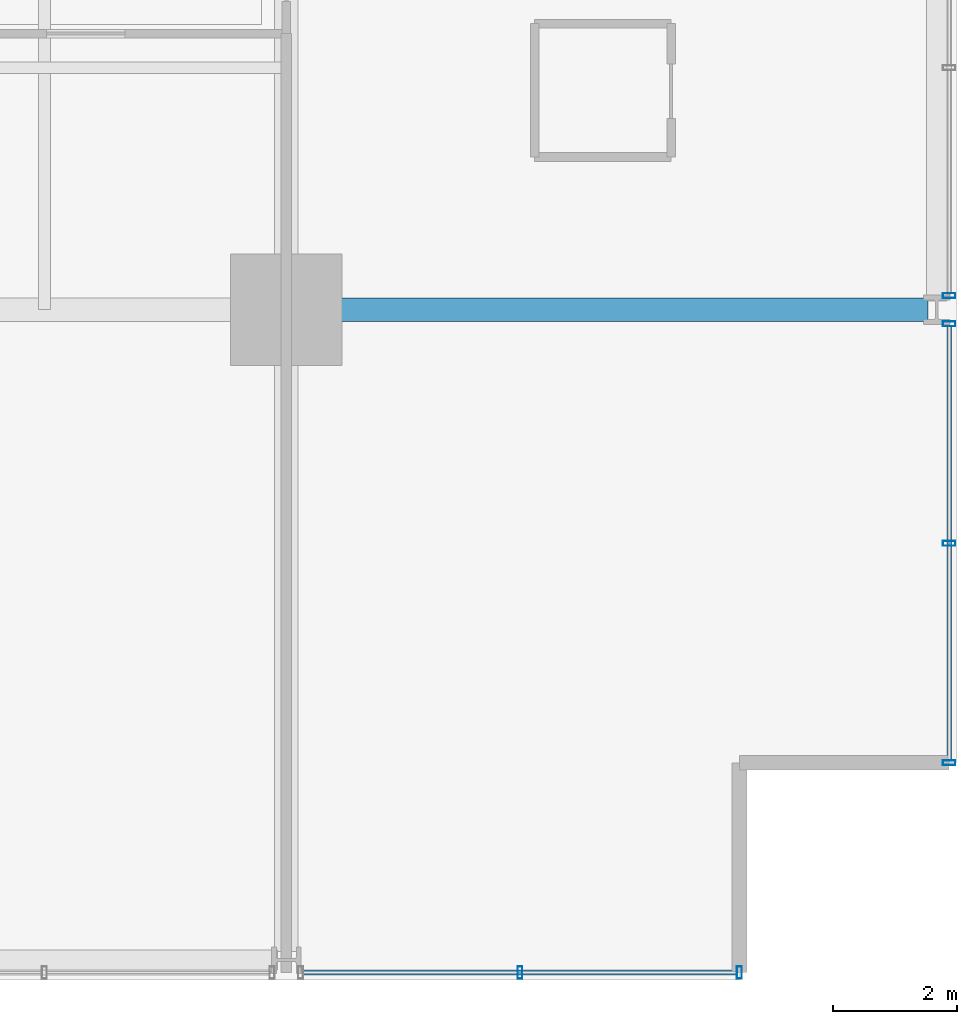
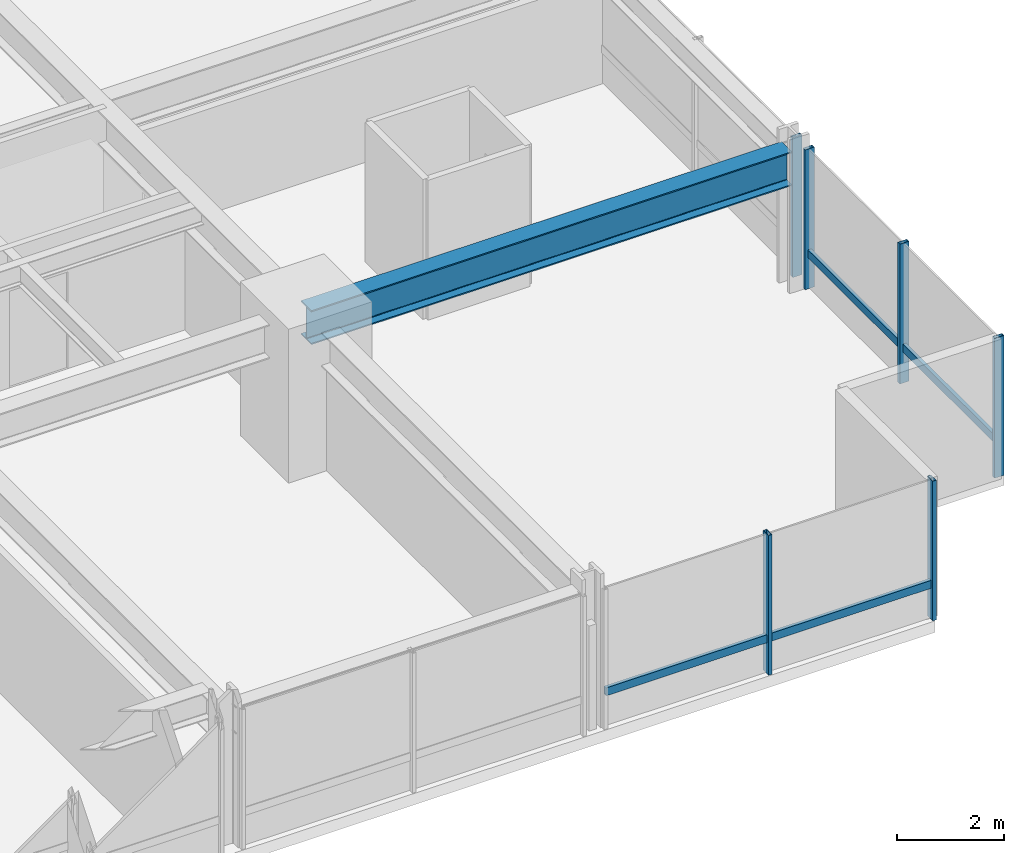
# One storey, part 13 of 37: 8 members, 1 beam, 3 elements without a shape of their own.
"""IFC4 building model written with IfcOpenShell, lengths in metres."""

from ifc_helpers import new_model, si_unit, direction, frame, origin, origin_2d, place, context, subcontext, project, spatial, hollow_rectangle, i_section, extrude, material, layer, layer_set, material_profile, profile_set, type_object, element, aggregate, save


model = new_model("IFC4")

# Units and contexts
model_context = context("Model", 3, precision=1e-05, world=origin(), true_north=direction((0.0, 1.0)))
body_context = subcontext(model_context, "Body", "Model", "MODEL_VIEW")
ifc_project = project(units=[si_unit("LENGTHUNIT", "METRE"), si_unit("AREAUNIT", "SQUARE_METRE"), si_unit("VOLUMEUNIT", "CUBIC_METRE"), si_unit("PLANEANGLEUNIT", "RADIAN"), si_unit("MASSUNIT", "GRAM", prefix="KILO")], contexts=[model_context])

# Site, building, storey
site_placement = place(None, origin())
site = spatial("IfcSite", under=ifc_project, at=site_placement, CompositionType="ELEMENT")
building_placement = place(site_placement, origin())
building = spatial("IfcBuilding", under=site, at=building_placement, Name="Drelvath Grand Hotel", CompositionType="ELEMENT")
storey_placement = place(building_placement, frame((0.0, 0.0, 78.699951171875)))
storey = spatial("IfcBuildingStorey", under=building, at=storey_placement, Name="L19", CompositionType="ELEMENT", Elevation=78.699951171875)

# Curtain wall, member
ifc_material_1 = material(Name="Warm Bronze Anodised Aluminium Frame", Category="aluminium")
ifc_layer = layer(ifc_material_1, 0.199951171875)
ifc_layer_set = layer_set([ifc_layer], Name="Warm Bronze Anodised Aluminium Frame")
curtain_wall_type = type_object("IfcCurtainWallType", Name="Stick Curtain Wall CW-02 Warm Bronze Low-Rise", PredefinedType="NOTDEFINED", material=ifc_layer_set)
curtain_wall_1_placement = place(storey_placement, origin())
curtain_wall_1 = element("IfcCurtainWall", 1, at=curtain_wall_1_placement, inside=storey, type_object=curtain_wall_type, Name="L19 CW-02 Curtain Wall CW02-L19-ES1", PredefinedType="NOTDEFINED")
ifc_material_profile_1 = material_profile(ifc_material_1, hollow_rectangle(XDim=0.074951171875, YDim=0.179931640625, WallThickness=0.0048828125, at=origin_2d()), Name="HSS180X75X5")
ifc_profile_set_1 = profile_set([ifc_material_profile_1], Name="Warm Bronze Anodised Aluminium Frame")
member_type_1 = type_object("IfcMemberType", Name="Curtain Wall Horizontal Transom CW-02 HSS180X75X5", PredefinedType="USERDEFINED", material=ifc_profile_set_1)
member_1_placement = place(storey_placement, frame((26.8798828125, 10.531005859375, 0.795166015625), z_axis=(0.0, -1.0, 0.0), x_axis=(1.0, 0.0, 0.0)))
member_1 = element("IfcMember", 2, at=member_1_placement, type_object=member_type_1, Name="CW02-L19-ES1 Sill Transom", ObjectType="TRANSOM", PredefinedType="USERDEFINED", context=body_context, shape_type="SweptSolid", body=[
    extrude(hollow_rectangle(XDim=0.074951171875, YDim=0.179931640625, WallThickness=0.0048828125, at=origin_2d()), origin(), (0.0, 0.0, 1.0), 6.990966796875),
])

curtain_wall_2_placement = place(storey_placement, origin())
curtain_wall_2 = element("IfcCurtainWall", 3, at=curtain_wall_2_placement, inside=storey, type_object=curtain_wall_type, Name="L19 CW-02 Curtain Wall CW02-L19-SE3", PredefinedType="NOTDEFINED")
member_2_placement = place(storey_placement, frame((23.4599609375, 0.1201171875, 0.795166015625), z_axis=(-1.0, 0.0, 0.0), x_axis=(0.0, -1.0, 0.0)))
member_2 = element("IfcMember", 4, at=member_2_placement, type_object=member_type_1, Name="CW02-L19-SE3 Sill Transom", ObjectType="TRANSOM", PredefinedType="USERDEFINED", context=body_context, shape_type="SweptSolid", body=[
    extrude(hollow_rectangle(XDim=0.074951171875, YDim=0.179931640625, WallThickness=0.0048828125, at=origin_2d()), origin(), (0.0, 0.0, 1.0), 6.990966796875),
])

# Member
ifc_material_profile_2 = material_profile(ifc_material_1, hollow_rectangle(XDim=0.080078125, YDim=0.199951171875, WallThickness=0.0048828125, at=origin_2d()), Name="HSS200X80X5")
ifc_profile_set_2 = profile_set([ifc_material_profile_2], Name="Warm Bronze Anodised Aluminium Frame")
member_type_2 = type_object("IfcMemberType", Name="Curtain Wall Vertical Mullion CW-02 HSS200X80X5", PredefinedType="MULLION", material=ifc_profile_set_2)
member_3_placement = place(storey_placement, frame((26.8798828125, 10.57080078125, 0.0), z_axis=(0.0, 0.0, 1.0), x_axis=(0.0, 1.0, 0.0)))
member_3 = element("IfcMember", 5, at=member_3_placement, type_object=member_type_2, Name="CW02-L19-ES1 Mullion 1", PredefinedType="MULLION", context=body_context, shape_type="SweptSolid", body=[
    extrude(hollow_rectangle(XDim=0.080078125, YDim=0.199951171875, WallThickness=0.0048828125, at=origin_2d()), origin(), (0.0, 0.0, 1.0), 3.179931640625),
])

member_4_placement = place(storey_placement, frame((26.8798828125, 7.035400390625, 0.0), z_axis=(0.0, 0.0, 1.0), x_axis=(0.0, 1.0, 0.0)))
member_4 = element("IfcMember", 6, at=member_4_placement, type_object=member_type_2, Name="CW02-L19-ES1 Mullion 2", PredefinedType="MULLION", context=body_context, shape_type="SweptSolid", body=[
    extrude(hollow_rectangle(XDim=0.080078125, YDim=0.199951171875, WallThickness=0.0048828125, at=origin_2d()), origin(), (0.0, 0.0, 1.0), 3.179931640625),
])

member_5_placement = place(storey_placement, frame((26.8798828125, 3.5, 0.0), z_axis=(0.0, 0.0, 1.0), x_axis=(0.0, 1.0, 0.0)))
member_5 = element("IfcMember", 7, at=member_5_placement, type_object=member_type_2, Name="CW02-L19-ES1 Mullion 3", PredefinedType="MULLION", context=body_context, shape_type="SweptSolid", body=[
    extrude(hollow_rectangle(XDim=0.080078125, YDim=0.199951171875, WallThickness=0.0048828125, at=origin_2d()), origin(), (0.0, 0.0, 1.0), 3.179931640625),
])

aggregate(curtain_wall_1, [member_3, member_4, member_5, member_1])

# Curtain wall, member
curtain_wall_3_placement = place(storey_placement, origin())
curtain_wall_3 = element("IfcCurtainWall", 8, at=curtain_wall_3_placement, inside=storey, type_object=curtain_wall_type, Name="L19 CW-02 Curtain Wall CW02-L19-ES2", PredefinedType="NOTDEFINED")
member_6_placement = place(storey_placement, frame((26.8798828125, 11.029052734375, 0.0), z_axis=(0.0, 0.0, 1.0), x_axis=(0.0, 1.0, 0.0)))
member_6 = element("IfcMember", 9, at=member_6_placement, type_object=member_type_2, Name="CW02-L19-ES2 Mullion 3", PredefinedType="MULLION", context=body_context, shape_type="SweptSolid", body=[
    extrude(hollow_rectangle(XDim=0.080078125, YDim=0.199951171875, WallThickness=0.0048828125, at=origin_2d()), origin(), (0.0, 0.0, 1.0), 3.179931640625),
])
aggregate(curtain_wall_3, [member_6])

# Member
member_7_placement = place(storey_placement, frame((23.5, 0.1201171875, 0.0), z_axis=(0.0, 0.0, 1.0), x_axis=(1.0, 0.0, 0.0)))
member_7 = element("IfcMember", 10, at=member_7_placement, type_object=member_type_2, Name="CW02-L19-SE3 Mullion 1", PredefinedType="MULLION", context=body_context, shape_type="SweptSolid", body=[
    extrude(hollow_rectangle(XDim=0.080078125, YDim=0.199951171875, WallThickness=0.0048828125, at=origin_2d()), origin(), (0.0, 0.0, 1.0), 3.179931640625),
])

member_8_placement = place(storey_placement, frame((19.964599609375, 0.1201171875, 0.0), z_axis=(0.0, 0.0, 1.0), x_axis=(1.0, 0.0, 0.0)))
member_8 = element("IfcMember", 11, at=member_8_placement, type_object=member_type_2, Name="CW02-L19-SE3 Mullion 2", PredefinedType="MULLION", context=body_context, shape_type="SweptSolid", body=[
    extrude(hollow_rectangle(XDim=0.080078125, YDim=0.199951171875, WallThickness=0.0048828125, at=origin_2d()), origin(), (0.0, 0.0, 1.0), 3.179931640625),
])

aggregate(curtain_wall_2, [member_7, member_8, member_2])

# Beam
ifc_material_2 = material(Name="Steel ASTM A992 Gr 50", Category="steel")
ifc_material_profile_3 = material_profile(ifc_material_2, i_section(OverallWidth=0.380615234375, OverallDepth=0.773193359375, WebThickness=0.0166015625, FlangeThickness=0.027099609375, FilletRadius=0.02490234375, at=origin_2d()), Name="W30X173")
ifc_profile_set_3 = profile_set([ifc_material_profile_3], Name="Steel ASTM A992 Gr 50")
beam_type = type_object("IfcBeamType", Name="Primary Floor Girder W30X173", PredefinedType="BEAM", material=ifc_profile_set_3)
beam_placement = place(storey_placement, frame((16.199951171875, 10.800048828125, 2.79345703125), z_axis=(1.0, 0.0, 0.0), x_axis=(0.0, 1.0, 0.0)))
element("IfcBeam", 12, at=beam_placement, inside=storey, type_object=beam_type, Name="L19 East Grid Girder C", PredefinedType="BEAM", context=body_context, shape_type="SweptSolid", body=[
    extrude(i_section(OverallWidth=0.380615234375, OverallDepth=0.773193359375, WebThickness=0.0166015625, FlangeThickness=0.027099609375, FilletRadius=0.02490234375, at=origin_2d()), origin(), (0.0, 0.0, 1.0), 10.340087890625),
])

save(model, "model.ifc")
